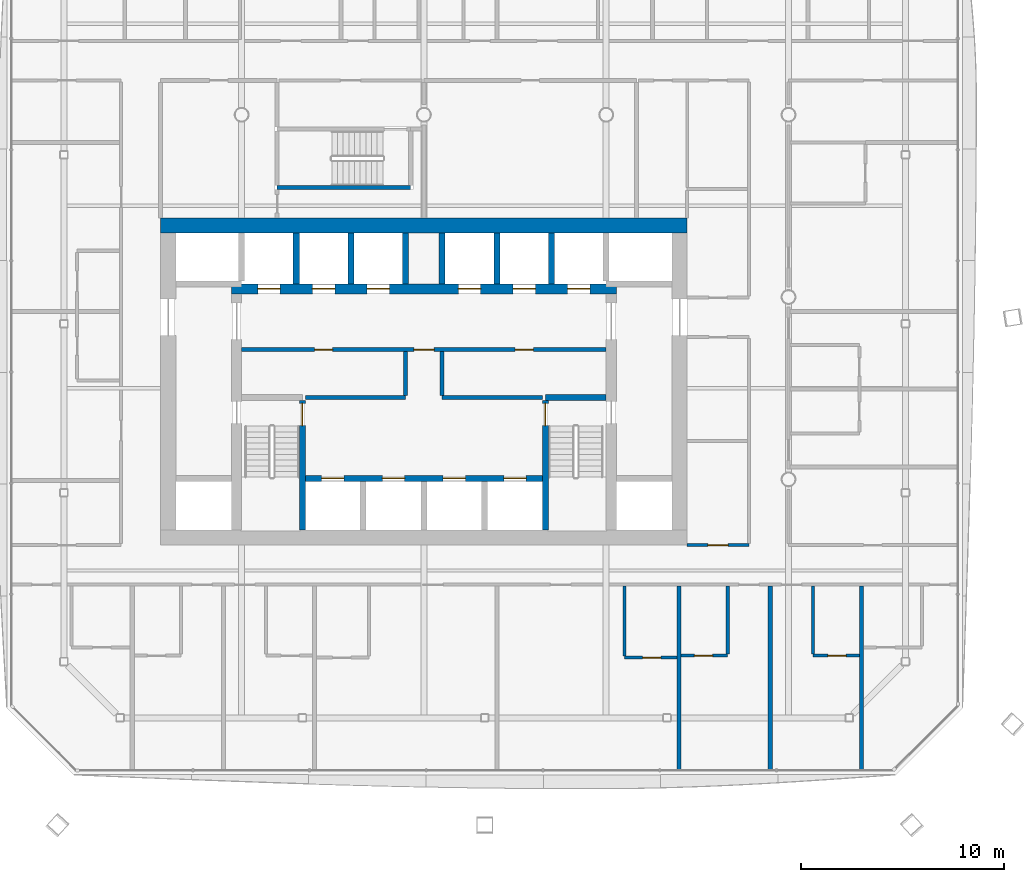
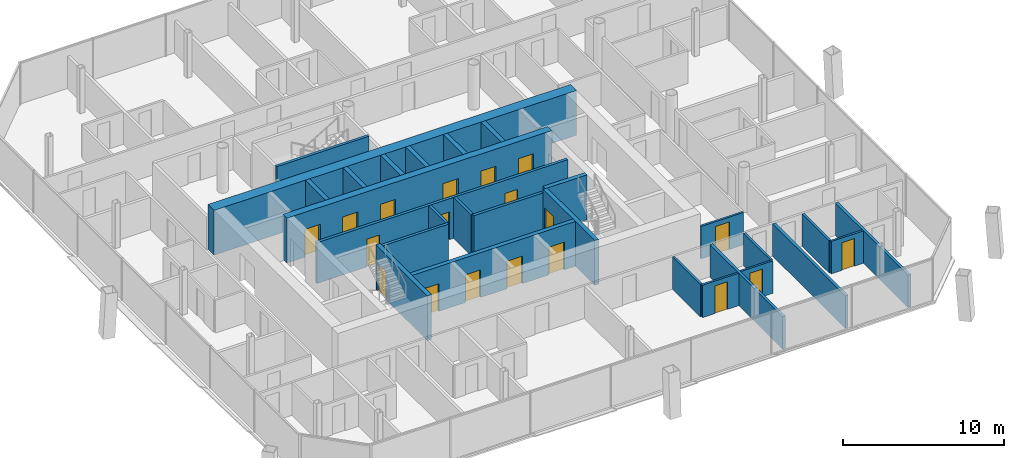
# One storey, part 13 of 21: 28 walls, 19 doors, 19 openings.
"""IFC4 building model written with IfcOpenShell, lengths in metres."""

from ifc_helpers import new_model, si_unit, direction, frame, frame_2d, origin, place, context, subcontext, project, spatial, rectangle, extrude, material, layer, layer_set, type_object, element, fill, save


model = new_model("IFC4")

# Units and contexts
model_context = context("Model", 3, precision=1e-05, world=origin(), true_north=direction((0.0, 1.0)))
body_context = subcontext(model_context, "Body", "Model", "MODEL_VIEW")
ifc_project = project(units=[si_unit("LENGTHUNIT", "METRE"), si_unit("AREAUNIT", "SQUARE_METRE"), si_unit("VOLUMEUNIT", "CUBIC_METRE"), si_unit("PLANEANGLEUNIT", "RADIAN"), si_unit("MASSUNIT", "GRAM", prefix="KILO")], contexts=[model_context])

# Site, building, storey
site_placement = place(None, origin())
site = spatial("IfcSite", under=ifc_project, at=site_placement, CompositionType="ELEMENT")
building_placement = place(site_placement, origin())
building = spatial("IfcBuilding", under=site, at=building_placement, Name="Tskaro Facet Tower", CompositionType="ELEMENT")
storey_placement = place(building_placement, frame((0.0, 0.0, 128.300048828125)))
storey = spatial("IfcBuildingStorey", under=building, at=storey_placement, Name="L30", CompositionType="ELEMENT", Elevation=128.300048828125)

# Wall, openings, doors
ifc_material_1 = material(Name="Concrete C60/75", Category="concrete")
ifc_layer_1 = layer(ifc_material_1, 0.300048828125, Name="Concrete C60/75")
ifc_layer_set_1 = layer_set([ifc_layer_1], Name="Concrete C60/75")
wall_type_1 = type_object("IfcWallType", Name="CORE-SHAFT", PredefinedType="SHEAR", material=ifc_layer_set_1)
wall_1_placement = place(storey_placement, frame((-5.85009765625, -8.949951171875, 0.0), z_axis=(0.0, 0.0, 1.0), x_axis=(1.0, 0.0, 0.0)))
wall_1 = element("IfcWall", 1, at=wall_1_placement, inside=storey, type_object=wall_type_1, Name="Shaft wall W015", PredefinedType="SHEAR", context=body_context, shape_type="SweptSolid", body=[
    extrude(rectangle(XDim=11.7001953125, YDim=0.300048828125, at=frame_2d((5.85009765625, 0.0))), origin(), (0.0, 0.0, 1.0), 3.39990234375),
])
opening_1_placement = place(wall_1_placement, frame((0.800048828125, 0.0, 0.0)))
opening_1 = element("IfcOpeningElement", 2, at=opening_1_placement, cuts=wall_1, Name="Opening LD-FF1", PredefinedType="OPENING", context=body_context, shape_type="SweptSolid", body=[
    extrude(rectangle(XDim=1.10009765625, YDim=2.10009765625, at=frame_2d((0.550048828125, 1.050048828125))), frame((0.0, 0.159912109375, 0.0), z_axis=(0.0, -1.0, 0.0), x_axis=(1.0, 0.0, 0.0)), (0.0, 0.0, 1.0), 0.320068359375),
])
opening_2_placement = place(wall_1_placement, frame((3.800048828125, 0.0, 0.0)))
opening_2 = element("IfcOpeningElement", 3, at=opening_2_placement, cuts=wall_1, Name="Opening LD-FF2", PredefinedType="OPENING", context=body_context, shape_type="SweptSolid", body=[
    extrude(rectangle(XDim=1.10009765625, YDim=2.10009765625, at=frame_2d((0.550048828125, 1.050048828125))), frame((0.0, 0.159912109375, 0.0), z_axis=(0.0, -1.0, 0.0), x_axis=(1.0, 0.0, 0.0)), (0.0, 0.0, 1.0), 0.320068359375),
])
opening_3_placement = place(wall_1_placement, frame((6.800048828125, 0.0, 0.0)))
opening_3 = element("IfcOpeningElement", 4, at=opening_3_placement, cuts=wall_1, Name="Opening LD-SV1", PredefinedType="OPENING", context=body_context, shape_type="SweptSolid", body=[
    extrude(rectangle(XDim=1.10009765625, YDim=2.10009765625, at=frame_2d((0.550048828125, 1.050048828125))), frame((0.0, 0.159912109375, 0.0), z_axis=(0.0, -1.0, 0.0), x_axis=(1.0, 0.0, 0.0)), (0.0, 0.0, 1.0), 0.320068359375),
])
opening_4_placement = place(wall_1_placement, frame((9.800048828125, 0.0, 0.0)))
opening_4 = element("IfcOpeningElement", 5, at=opening_4_placement, cuts=wall_1, Name="Opening LD-SV2", PredefinedType="OPENING", context=body_context, shape_type="SweptSolid", body=[
    extrude(rectangle(XDim=1.10009765625, YDim=2.10009765625, at=frame_2d((0.550048828125, 1.050048828125))), frame((0.0, 0.159912109375, 0.0), z_axis=(0.0, -1.0, 0.0), x_axis=(1.0, 0.0, 0.0)), (0.0, 0.0, 1.0), 0.320068359375),
])
ifc_material_2 = material(Name="Stainless steel", Category="steel")
door_type_1 = type_object("IfcDoorType", Name="D-LANDING", OperationType="NOTDEFINED", PredefinedType="DOOR", material=ifc_material_2)
door_1_placement = place(opening_1_placement, origin())
door_1 = element("IfcDoor", 6, at=door_1_placement, inside=storey, type_object=door_type_1, Name="Landing door FF1", OperationType="DOUBLE_DOOR_SLIDING", OverallHeight=2.10009765625, OverallWidth=1.10009765625, PredefinedType="DOOR", context=body_context, shape_type="SweptSolid", body=[
    extrude(rectangle(XDim=1.10009765625, YDim=2.10009765625, at=frame_2d((0.550048828125, 1.050048828125))), frame((0.0, 0.02490234375, 0.0), z_axis=(0.0, -1.0, 0.0), x_axis=(1.0, 0.0, 0.0)), (0.0, 0.0, 1.0), 0.050048828125),
])
fill(opening_1, door_1)
door_2_placement = place(opening_2_placement, origin())
door_2 = element("IfcDoor", 7, at=door_2_placement, inside=storey, type_object=door_type_1, Name="Landing door FF2", OperationType="DOUBLE_DOOR_SLIDING", OverallHeight=2.10009765625, OverallWidth=1.10009765625, PredefinedType="DOOR", context=body_context, shape_type="SweptSolid", body=[
    extrude(rectangle(XDim=1.10009765625, YDim=2.10009765625, at=frame_2d((0.550048828125, 1.050048828125))), frame((0.0, 0.02490234375, 0.0), z_axis=(0.0, -1.0, 0.0), x_axis=(1.0, 0.0, 0.0)), (0.0, 0.0, 1.0), 0.050048828125),
])
fill(opening_2, door_2)
door_3_placement = place(opening_3_placement, origin())
door_3 = element("IfcDoor", 8, at=door_3_placement, inside=storey, type_object=door_type_1, Name="Landing door SV1", OperationType="DOUBLE_DOOR_SLIDING", OverallHeight=2.10009765625, OverallWidth=1.10009765625, PredefinedType="DOOR", context=body_context, shape_type="SweptSolid", body=[
    extrude(rectangle(XDim=1.10009765625, YDim=2.10009765625, at=frame_2d((0.550048828125, 1.050048828125))), frame((0.0, 0.02490234375, 0.0), z_axis=(0.0, -1.0, 0.0), x_axis=(1.0, 0.0, 0.0)), (0.0, 0.0, 1.0), 0.050048828125),
])
fill(opening_3, door_3)
door_4_placement = place(opening_4_placement, origin())
door_4 = element("IfcDoor", 9, at=door_4_placement, inside=storey, type_object=door_type_1, Name="Landing door SV2", OperationType="DOUBLE_DOOR_SLIDING", OverallHeight=2.10009765625, OverallWidth=1.10009765625, PredefinedType="DOOR", context=body_context, shape_type="SweptSolid", body=[
    extrude(rectangle(XDim=1.10009765625, YDim=2.10009765625, at=frame_2d((0.550048828125, 1.050048828125))), frame((0.0, 0.02490234375, 0.0), z_axis=(0.0, -1.0, 0.0), x_axis=(1.0, 0.0, 0.0)), (0.0, 0.0, 1.0), 0.050048828125),
])
fill(opening_4, door_4)

# Walls
wall_2_placement = place(storey_placement, frame((6.0, -4.949951171875, 0.0), z_axis=(0.0, 0.0, 1.0), x_axis=(1.0, 0.0, 0.0)))
element("IfcWall", 10, at=wall_2_placement, inside=storey, type_object=wall_type_1, Name="Shaft wall W023", PredefinedType="SHEAR", context=body_context, shape_type="SweptSolid", body=[
    extrude(rectangle(XDim=3.0, YDim=0.300048828125, at=frame_2d((1.5, 0.0))), origin(), (0.0, 0.0, 1.0), 3.39990234375),
])
wall_3_placement = place(storey_placement, frame((-6.300048828125, 0.64990234375, 0.0), z_axis=(0.0, 0.0, 1.0), x_axis=(0.0, 1.0, 0.0)))
element("IfcWall", 11, at=wall_3_placement, inside=storey, type_object=wall_type_1, Name="Shaft wall W070", PredefinedType="SHEAR", context=body_context, shape_type="SweptSolid", body=[
    extrude(rectangle(XDim=2.5, YDim=0.300048828125, at=frame_2d((1.25, 0.0))), origin(), (0.0, 0.0, 1.0), 3.39990234375),
])

# Wall, opening, door
wall_4_placement = place(storey_placement, frame((-6.0, -11.5, 0.0), z_axis=(0.0, 0.0, 1.0), x_axis=(0.0, 1.0, 0.0)))
wall_4 = element("IfcWall", 12, at=wall_4_placement, inside=storey, type_object=wall_type_1, Name="Shaft wall W071", PredefinedType="SHEAR", context=body_context, shape_type="SweptSolid", body=[
    extrude(rectangle(XDim=6.39990234375, YDim=0.300048828125, at=frame_2d((3.199951171875, 0.0))), origin(), (0.0, 0.0, 1.0), 3.39990234375),
])
opening_5_placement = place(wall_4_placement, frame((5.14990234375, 0.0, 0.0)))
opening_5 = element("IfcOpeningElement", 13, at=opening_5_placement, cuts=wall_4, Name="Opening ST-1-D1", PredefinedType="OPENING", context=body_context, shape_type="SweptSolid", body=[
    extrude(rectangle(XDim=1.10009765625, YDim=2.10009765625, at=frame_2d((0.550048828125, 1.050048828125))), frame((0.0, 0.159912109375, 0.0), z_axis=(0.0, -1.0, 0.0), x_axis=(1.0, 0.0, 0.0)), (0.0, 0.0, 1.0), 0.320068359375),
])
ifc_material_3 = material(Name="Steel", Category="steel")
door_type_2 = type_object("IfcDoorType", Name="D-STAIR", OperationType="NOTDEFINED", PredefinedType="DOOR", material=ifc_material_3)
door_5_placement = place(opening_5_placement, origin())
door_5 = element("IfcDoor", 14, at=door_5_placement, inside=storey, type_object=door_type_2, Name="Stair door 1", OperationType="SINGLE_SWING_LEFT", OverallHeight=2.10009765625, OverallWidth=1.10009765625, PredefinedType="DOOR", context=body_context, shape_type="SweptSolid", body=[
    extrude(rectangle(XDim=1.10009765625, YDim=2.10009765625, at=frame_2d((0.550048828125, 1.050048828125))), frame((0.0, 0.02490234375, 0.0), z_axis=(0.0, -1.0, 0.0), x_axis=(1.0, 0.0, 0.0)), (0.0, 0.0, 1.0), 0.050048828125),
])
fill(opening_5, door_5)

# Walls
for number, where, z_axis, x_axis, name in (
    (15, (-3.60009765625, 0.64990234375, 0.0), (0.0, 0.0, 1.0), (0.0, 1.0, 0.0), "Shaft wall W074"),
    (16, (-0.89990234375, 0.64990234375, 0.0), (0.0, 0.0, 1.0), (0.0, 1.0, 0.0), "Shaft wall W079"),
    (17, (0.89990234375, 0.64990234375, 0.0), (0.0, 0.0, 1.0), (0.0, 1.0, 0.0), "Shaft wall W086"),
    (18, (3.60009765625, 0.64990234375, 0.0), (0.0, 0.0, 1.0), (0.0, 1.0, 0.0), "Shaft wall W090"),
):
    element("IfcWall", number, at=place(storey_placement, frame(where, z_axis=z_axis, x_axis=x_axis)), inside=storey, type_object=wall_type_1, Name=name, PredefinedType="SHEAR", context=body_context, shape_type="SweptSolid", body=[
        extrude(rectangle(XDim=2.5, YDim=0.300048828125, at=frame_2d((1.25, 0.0))), origin(), (0.0, 0.0, 1.0), 3.39990234375),
    ])

# Wall, opening, door
wall_5_placement = place(storey_placement, frame((6.0, -5.10009765625, 0.0), z_axis=(0.0, 0.0, 1.0), x_axis=(0.0, -1.0, 0.0)))
wall_5 = element("IfcWall", 19, at=wall_5_placement, inside=storey, type_object=wall_type_1, Name="Shaft wall W092", PredefinedType="SHEAR", context=body_context, shape_type="SweptSolid", body=[
    extrude(rectangle(XDim=6.39990234375, YDim=0.300048828125, at=frame_2d((3.199951171875, 0.0))), origin(), (0.0, 0.0, 1.0), 3.39990234375),
])
opening_6_placement = place(wall_5_placement, frame((0.14990234375, 0.0, 0.0)))
opening_6 = element("IfcOpeningElement", 20, at=opening_6_placement, cuts=wall_5, Name="Opening ST-2-D1", PredefinedType="OPENING", context=body_context, shape_type="SweptSolid", body=[
    extrude(rectangle(XDim=1.10009765625, YDim=2.10009765625, at=frame_2d((0.550048828125, 1.050048828125))), frame((0.0, 0.159912109375, 0.0), z_axis=(0.0, -1.0, 0.0), x_axis=(1.0, 0.0, 0.0)), (0.0, 0.0, 1.0), 0.320068359375),
])
door_6_placement = place(opening_6_placement, origin())
door_6 = element("IfcDoor", 21, at=door_6_placement, inside=storey, type_object=door_type_2, Name="Stair door 2", OperationType="SINGLE_SWING_RIGHT", OverallHeight=2.10009765625, OverallWidth=1.10009765625, PredefinedType="DOOR", context=body_context, shape_type="SweptSolid", body=[
    extrude(rectangle(XDim=1.10009765625, YDim=2.10009765625, at=frame_2d((0.550048828125, 1.050048828125))), frame((0.0, 0.02490234375, 0.0), z_axis=(0.0, -1.0, 0.0), x_axis=(1.0, 0.0, 0.0)), (0.0, 0.0, 1.0), 0.050048828125),
])
fill(opening_6, door_6)

# Walls
wall_6_placement = place(storey_placement, frame((6.300048828125, 0.64990234375, 0.0), z_axis=(0.0, 0.0, 1.0), x_axis=(0.0, 1.0, 0.0)))
element("IfcWall", 22, at=wall_6_placement, inside=storey, type_object=wall_type_1, Name="Shaft wall W093", PredefinedType="SHEAR", context=body_context, shape_type="SweptSolid", body=[
    extrude(rectangle(XDim=2.5, YDim=0.300048828125, at=frame_2d((1.25, 0.0))), origin(), (0.0, 0.0, 1.0), 3.39990234375),
])
ifc_material_4 = material(Name="Concrete C20/25", Category="concrete")
ifc_layer_2 = layer(ifc_material_4, 0.199951171875, Name="Concrete C20/25")
ifc_layer_set_2 = layer_set([ifc_layer_2], Name="Concrete C20/25")
wall_type_2 = type_object("IfcWallType", Name="CORE-WALL", PredefinedType="SOLIDWALL", material=ifc_layer_set_2)
for number, where, z_axis, x_axis, name in (
    (23, (-5.85009765625, -4.949951171875, 0.0), (0.0, 0.0, 1.0), (1.0, 0.0, 0.0), "Core room wall W021"),
    (24, (0.89990234375, -4.949951171875, 0.0), (0.0, 0.0, 1.0), (1.0, 0.0, 0.0), "Core room wall W022"),
):
    element("IfcWall", number, at=place(storey_placement, frame(where, z_axis=z_axis, x_axis=x_axis)), inside=storey, type_object=wall_type_2, Name=name, PredefinedType="SOLIDWALL", context=body_context, shape_type="SweptSolid", body=[
        extrude(rectangle(XDim=4.9501953125, YDim=0.199951171875, at=frame_2d((2.47509765625, 0.0))), origin(), (0.0, 0.0, 1.0), 3.099853515625),
    ])

# Wall, openings, doors
wall_7_placement = place(storey_placement, frame((9.0, -2.60009765625, 0.0), z_axis=(0.0, 0.0, 1.0), x_axis=(-1.0, 0.0, 0.0)))
wall_7 = element("IfcWall", 25, at=wall_7_placement, inside=storey, type_object=wall_type_2, Name="Core room wall W026", PredefinedType="SOLIDWALL", context=body_context, shape_type="SweptSolid", body=[
    extrude(rectangle(XDim=18.0, YDim=0.199951171875, at=frame_2d((9.0, 0.0))), origin(), (0.0, 0.0, 1.0), 3.099853515625),
])
opening_7_placement = place(wall_7_placement, frame((8.5, 0.0, 0.0)))
opening_7 = element("IfcOpeningElement", 26, at=opening_7_placement, cuts=wall_7, Name="Opening FL-D1", PredefinedType="OPENING", context=body_context, shape_type="SweptSolid", body=[
    extrude(rectangle(XDim=1.0, YDim=2.10009765625, at=frame_2d((0.5, 1.050048828125))), frame((0.0, 0.10986328125, 0.0), z_axis=(0.0, -1.0, 0.0), x_axis=(1.0, 0.0, 0.0)), (0.0, 0.0, 1.0), 0.219970703125),
])
opening_8_placement = place(wall_7_placement, frame((13.5, 0.0, 0.0)))
opening_8 = element("IfcOpeningElement", 27, at=opening_8_placement, cuts=wall_7, Name="Opening T8-D26", PredefinedType="OPENING", context=body_context, shape_type="SweptSolid", body=[
    extrude(rectangle(XDim=0.89990234375, YDim=2.10009765625, at=frame_2d((0.449951171875, 1.050048828125))), frame((0.0, 0.10986328125, 0.0), z_axis=(0.0, -1.0, 0.0), x_axis=(1.0, 0.0, 0.0)), (0.0, 0.0, 1.0), 0.219970703125),
])
opening_9_placement = place(wall_7_placement, frame((3.60009765625, 0.0, 0.0)))
opening_9 = element("IfcOpeningElement", 28, at=opening_9_placement, cuts=wall_7, Name="Opening T8-D27", PredefinedType="OPENING", context=body_context, shape_type="SweptSolid", body=[
    extrude(rectangle(XDim=0.89990234375, YDim=2.10009765625, at=frame_2d((0.449951171875, 1.050048828125))), frame((0.0, 0.10986328125, 0.0), z_axis=(0.0, -1.0, 0.0), x_axis=(1.0, 0.0, 0.0)), (0.0, 0.0, 1.0), 0.219970703125),
])
door_type_3 = type_object("IfcDoorType", Name="D-LOBBY", OperationType="NOTDEFINED", PredefinedType="DOOR", material=ifc_material_3)
door_7_placement = place(opening_7_placement, origin())
door_7 = element("IfcDoor", 29, at=door_7_placement, inside=storey, type_object=door_type_3, Name="Lobby door FL", OperationType="SINGLE_SWING_RIGHT", OverallHeight=2.10009765625, OverallWidth=1.0, PredefinedType="DOOR", context=body_context, shape_type="SweptSolid", body=[
    extrude(rectangle(XDim=1.0, YDim=2.10009765625, at=frame_2d((0.5, 1.050048828125))), frame((0.0, 0.02490234375, 0.0), z_axis=(0.0, -1.0, 0.0), x_axis=(1.0, 0.0, 0.0)), (0.0, 0.0, 1.0), 0.050048828125),
])
fill(opening_7, door_7)
ifc_material_5 = material(Name="Timber", Category="wood")
door_type_4 = type_object("IfcDoorType", Name="D-ROOM", OperationType="NOTDEFINED", PredefinedType="DOOR", material=ifc_material_5)
door_8_placement = place(opening_8_placement, origin())
door_8 = element("IfcDoor", 30, at=door_8_placement, inside=storey, type_object=door_type_4, Name="Door T8-D26", OperationType="SINGLE_SWING_RIGHT", OverallHeight=2.10009765625, OverallWidth=0.89990234375, PredefinedType="DOOR", context=body_context, shape_type="SweptSolid", body=[
    extrude(rectangle(XDim=0.89990234375, YDim=2.10009765625, at=frame_2d((0.449951171875, 1.050048828125))), frame((0.0, 0.02490234375, 0.0), z_axis=(0.0, -1.0, 0.0), x_axis=(1.0, 0.0, 0.0)), (0.0, 0.0, 1.0), 0.050048828125),
])
fill(opening_8, door_8)
door_9_placement = place(opening_9_placement, origin())
door_9 = element("IfcDoor", 31, at=door_9_placement, inside=storey, type_object=door_type_4, Name="Door T8-D27", OperationType="SINGLE_SWING_RIGHT", OverallHeight=2.10009765625, OverallWidth=0.89990234375, PredefinedType="DOOR", context=body_context, shape_type="SweptSolid", body=[
    extrude(rectangle(XDim=0.89990234375, YDim=2.10009765625, at=frame_2d((0.449951171875, 1.050048828125))), frame((0.0, 0.02490234375, 0.0), z_axis=(0.0, -1.0, 0.0), x_axis=(1.0, 0.0, 0.0)), (0.0, 0.0, 1.0), 0.050048828125),
])
fill(opening_9, door_9)

# Walls
for number, where, z_axis, x_axis, name in (
    (32, (-0.89990234375, -4.85009765625, 0.0), (0.0, 0.0, 1.0), (0.0, 1.0, 0.0), "Core room wall W078"),
    (33, (0.89990234375, -4.85009765625, 0.0), (0.0, 0.0, 1.0), (0.0, 1.0, 0.0), "Core room wall W085"),
):
    element("IfcWall", number, at=place(storey_placement, frame(where, z_axis=z_axis, x_axis=x_axis)), inside=storey, type_object=wall_type_2, Name=name, PredefinedType="SOLIDWALL", context=body_context, shape_type="SweptSolid", body=[
        extrude(rectangle(XDim=2.150146484375, YDim=0.199951171875, at=frame_2d((1.0751953125, 0.0))), origin(), (0.0, 0.0, 1.0), 3.099853515625),
    ])

# Wall, openings, doors
ifc_material_6 = material(Name="Concrete C40/50", Category="concrete")
ifc_layer_3 = layer(ifc_material_6, 0.5, Name="Concrete C40/50")
ifc_layer_set_3 = layer_set([ifc_layer_3], Name="Concrete C40/50")
wall_type_3 = type_object("IfcWallType", Name="Core wall 500", PredefinedType="SHEAR", material=ifc_layer_set_3)
wall_8_placement = place(storey_placement, frame((-9.5, 0.39990234375, 0.0), z_axis=(0.0, 0.0, 1.0), x_axis=(1.0, 0.0, 0.0)))
wall_8 = element("IfcWall", 34, at=wall_8_placement, inside=storey, type_object=wall_type_3, Name="Core wall CW-Z3N", PredefinedType="SHEAR", context=body_context, shape_type="SweptSolid", body=[
    extrude(rectangle(XDim=19.0, YDim=0.5, at=frame_2d((9.5, 0.0))), origin(), (0.0, 0.0, 1.0), 3.39990234375),
])
opening_10_placement = place(wall_8_placement, frame((1.300048828125, 0.0, 0.0)))
opening_10 = element("IfcOpeningElement", 35, at=opening_10_placement, cuts=wall_8, Name="Opening LD-MB1", PredefinedType="OPENING", context=body_context, shape_type="SweptSolid", body=[
    extrude(rectangle(XDim=1.10009765625, YDim=2.10009765625, at=frame_2d((0.550048828125, 1.050048828125))), frame((0.0, 0.260009765625, 0.0), z_axis=(0.0, -1.0, 0.0), x_axis=(1.0, 0.0, 0.0)), (0.0, 0.0, 1.0), 0.52001953125),
])
opening_11_placement = place(wall_8_placement, frame((4.0, 0.0, 0.0)))
opening_11 = element("IfcOpeningElement", 36, at=opening_11_placement, cuts=wall_8, Name="Opening LD-MB2", PredefinedType="OPENING", context=body_context, shape_type="SweptSolid", body=[
    extrude(rectangle(XDim=1.10009765625, YDim=2.10009765625, at=frame_2d((0.550048828125, 1.050048828125))), frame((0.0, 0.260009765625, 0.0), z_axis=(0.0, -1.0, 0.0), x_axis=(1.0, 0.0, 0.0)), (0.0, 0.0, 1.0), 0.52001953125),
])
opening_12_placement = place(wall_8_placement, frame((6.699951171875, 0.0, 0.0)))
opening_12 = element("IfcOpeningElement", 37, at=opening_12_placement, cuts=wall_8, Name="Opening LD-MB3", PredefinedType="OPENING", context=body_context, shape_type="SweptSolid", body=[
    extrude(rectangle(XDim=1.10009765625, YDim=2.10009765625, at=frame_2d((0.550048828125, 1.050048828125))), frame((0.0, 0.260009765625, 0.0), z_axis=(0.0, -1.0, 0.0), x_axis=(1.0, 0.0, 0.0)), (0.0, 0.0, 1.0), 0.52001953125),
])
opening_13_placement = place(wall_8_placement, frame((11.199951171875, 0.0, 0.0)))
opening_13 = element("IfcOpeningElement", 38, at=opening_13_placement, cuts=wall_8, Name="Opening LD-MB4", PredefinedType="OPENING", context=body_context, shape_type="SweptSolid", body=[
    extrude(rectangle(XDim=1.10009765625, YDim=2.10009765625, at=frame_2d((0.550048828125, 1.050048828125))), frame((0.0, 0.260009765625, 0.0), z_axis=(0.0, -1.0, 0.0), x_axis=(1.0, 0.0, 0.0)), (0.0, 0.0, 1.0), 0.52001953125),
])
opening_14_placement = place(wall_8_placement, frame((13.89990234375, 0.0, 0.0)))
opening_14 = element("IfcOpeningElement", 39, at=opening_14_placement, cuts=wall_8, Name="Opening LD-MB5", PredefinedType="OPENING", context=body_context, shape_type="SweptSolid", body=[
    extrude(rectangle(XDim=1.10009765625, YDim=2.10009765625, at=frame_2d((0.550048828125, 1.050048828125))), frame((0.0, 0.260009765625, 0.0), z_axis=(0.0, -1.0, 0.0), x_axis=(1.0, 0.0, 0.0)), (0.0, 0.0, 1.0), 0.52001953125),
])
opening_15_placement = place(wall_8_placement, frame((16.60009765625, 0.0, 0.0)))
opening_15 = element("IfcOpeningElement", 40, at=opening_15_placement, cuts=wall_8, Name="Opening LD-MB6", PredefinedType="OPENING", context=body_context, shape_type="SweptSolid", body=[
    extrude(rectangle(XDim=1.10009765625, YDim=2.10009765625, at=frame_2d((0.550048828125, 1.050048828125))), frame((0.0, 0.260009765625, 0.0), z_axis=(0.0, -1.0, 0.0), x_axis=(1.0, 0.0, 0.0)), (0.0, 0.0, 1.0), 0.52001953125),
])
door_10_placement = place(opening_10_placement, origin())
door_10 = element("IfcDoor", 41, at=door_10_placement, inside=storey, type_object=door_type_1, Name="Landing door MB1", OperationType="DOUBLE_DOOR_SLIDING", OverallHeight=2.10009765625, OverallWidth=1.10009765625, PredefinedType="DOOR", context=body_context, shape_type="SweptSolid", body=[
    extrude(rectangle(XDim=1.10009765625, YDim=2.10009765625, at=frame_2d((0.550048828125, 1.050048828125))), frame((0.0, 0.02490234375, 0.0), z_axis=(0.0, -1.0, 0.0), x_axis=(1.0, 0.0, 0.0)), (0.0, 0.0, 1.0), 0.050048828125),
])
fill(opening_10, door_10)
door_11_placement = place(opening_11_placement, origin())
door_11 = element("IfcDoor", 42, at=door_11_placement, inside=storey, type_object=door_type_1, Name="Landing door MB2", OperationType="DOUBLE_DOOR_SLIDING", OverallHeight=2.10009765625, OverallWidth=1.10009765625, PredefinedType="DOOR", context=body_context, shape_type="SweptSolid", body=[
    extrude(rectangle(XDim=1.10009765625, YDim=2.10009765625, at=frame_2d((0.550048828125, 1.050048828125))), frame((0.0, 0.02490234375, 0.0), z_axis=(0.0, -1.0, 0.0), x_axis=(1.0, 0.0, 0.0)), (0.0, 0.0, 1.0), 0.050048828125),
])
fill(opening_11, door_11)
door_12_placement = place(opening_12_placement, origin())
door_12 = element("IfcDoor", 43, at=door_12_placement, inside=storey, type_object=door_type_1, Name="Landing door MB3", OperationType="DOUBLE_DOOR_SLIDING", OverallHeight=2.10009765625, OverallWidth=1.10009765625, PredefinedType="DOOR", context=body_context, shape_type="SweptSolid", body=[
    extrude(rectangle(XDim=1.10009765625, YDim=2.10009765625, at=frame_2d((0.550048828125, 1.050048828125))), frame((0.0, 0.02490234375, 0.0), z_axis=(0.0, -1.0, 0.0), x_axis=(1.0, 0.0, 0.0)), (0.0, 0.0, 1.0), 0.050048828125),
])
fill(opening_12, door_12)
door_13_placement = place(opening_13_placement, origin())
door_13 = element("IfcDoor", 44, at=door_13_placement, inside=storey, type_object=door_type_1, Name="Landing door MB4", OperationType="DOUBLE_DOOR_SLIDING", OverallHeight=2.10009765625, OverallWidth=1.10009765625, PredefinedType="DOOR", context=body_context, shape_type="SweptSolid", body=[
    extrude(rectangle(XDim=1.10009765625, YDim=2.10009765625, at=frame_2d((0.550048828125, 1.050048828125))), frame((0.0, 0.02490234375, 0.0), z_axis=(0.0, -1.0, 0.0), x_axis=(1.0, 0.0, 0.0)), (0.0, 0.0, 1.0), 0.050048828125),
])
fill(opening_13, door_13)
door_14_placement = place(opening_14_placement, origin())
door_14 = element("IfcDoor", 45, at=door_14_placement, inside=storey, type_object=door_type_1, Name="Landing door MB5", OperationType="DOUBLE_DOOR_SLIDING", OverallHeight=2.10009765625, OverallWidth=1.10009765625, PredefinedType="DOOR", context=body_context, shape_type="SweptSolid", body=[
    extrude(rectangle(XDim=1.10009765625, YDim=2.10009765625, at=frame_2d((0.550048828125, 1.050048828125))), frame((0.0, 0.02490234375, 0.0), z_axis=(0.0, -1.0, 0.0), x_axis=(1.0, 0.0, 0.0)), (0.0, 0.0, 1.0), 0.050048828125),
])
fill(opening_14, door_14)
door_15_placement = place(opening_15_placement, origin())
door_15 = element("IfcDoor", 46, at=door_15_placement, inside=storey, type_object=door_type_1, Name="Landing door MB6", OperationType="DOUBLE_DOOR_SLIDING", OverallHeight=2.10009765625, OverallWidth=1.10009765625, PredefinedType="DOOR", context=body_context, shape_type="SweptSolid", body=[
    extrude(rectangle(XDim=1.10009765625, YDim=2.10009765625, at=frame_2d((0.550048828125, 1.050048828125))), frame((0.0, 0.02490234375, 0.0), z_axis=(0.0, -1.0, 0.0), x_axis=(1.0, 0.0, 0.0)), (0.0, 0.0, 1.0), 0.050048828125),
])
fill(opening_15, door_15)

# Wall
ifc_material_7 = material(Name="Concrete C50/60", Category="concrete")
ifc_layer_4 = layer(ifc_material_7, 0.75, Name="Concrete C50/60")
ifc_layer_set_4 = layer_set([ifc_layer_4], Name="Concrete C50/60")
wall_type_4 = type_object("IfcWallType", Name="Core wall 750", PredefinedType="SHEAR", material=ifc_layer_set_4)
wall_9_placement = place(storey_placement, frame((-13.0, 3.52490234375, 0.0), z_axis=(0.0, 0.0, 1.0), x_axis=(1.0, 0.0, 0.0)))
element("IfcWall", 47, at=wall_9_placement, inside=storey, type_object=wall_type_4, Name="Core wall CW-Z2N", PredefinedType="SHEAR", context=body_context, shape_type="SweptSolid", body=[
    extrude(rectangle(XDim=26.0, YDim=0.75, at=frame_2d((13.0, 0.0))), origin(), (0.0, 0.0, 1.0), 3.39990234375),
])

# Wall, opening, door
ifc_material_8 = material(Name="Gypsum board on steel studs", Category="steel")
ifc_layer_5 = layer(ifc_material_8, 0.14990234375, Name="Gypsum board on steel studs")
ifc_layer_set_5 = layer_set([ifc_layer_5], Name="Gypsum board on steel studs")
wall_type_5 = type_object("IfcWallType", Name="PART-CORR", PredefinedType="PARTITIONING", material=ifc_layer_set_5)
wall_10_placement = place(storey_placement, frame((9.89990234375, -17.800048828125, 0.0), z_axis=(0.0, 0.0, 1.0), x_axis=(1.0, 0.0, 0.0)))
wall_10 = element("IfcWall", 48, at=wall_10_placement, inside=storey, type_object=wall_type_5, Name="Corridor wall W002", PredefinedType="PARTITIONING", context=body_context, shape_type="SweptSolid", body=[
    extrude(rectangle(XDim=2.60009765625, YDim=0.14990234375, at=frame_2d((1.300048828125, 0.0))), origin(), (0.0, 0.0, 1.0), 2.4599609375),
])
opening_16_placement = place(wall_10_placement, frame((0.89990234375, 0.0, 0.0)))
opening_16 = element("IfcOpeningElement", 49, at=opening_16_placement, cuts=wall_10, Name="Opening T8-D02", PredefinedType="OPENING", context=body_context, shape_type="SweptSolid", body=[
    extrude(rectangle(XDim=0.89990234375, YDim=2.10009765625, at=frame_2d((0.449951171875, 1.050048828125))), frame((0.0, 0.0849609375, 0.0), z_axis=(0.0, -1.0, 0.0), x_axis=(1.0, 0.0, 0.0)), (0.0, 0.0, 1.0), 0.169921875),
])
door_16_placement = place(opening_16_placement, origin())
door_16 = element("IfcDoor", 50, at=door_16_placement, inside=storey, type_object=door_type_4, Name="Door T8-D02", OperationType="SINGLE_SWING_LEFT", OverallHeight=2.10009765625, OverallWidth=0.89990234375, PredefinedType="DOOR", context=body_context, shape_type="SweptSolid", body=[
    extrude(rectangle(XDim=0.89990234375, YDim=2.10009765625, at=frame_2d((0.449951171875, 1.050048828125))), frame((0.0, 0.02490234375, 0.0), z_axis=(0.0, -1.0, 0.0), x_axis=(1.0, 0.0, 0.0)), (0.0, 0.0, 1.0), 0.050048828125),
])
fill(opening_16, door_16)

wall_11_placement = place(storey_placement, frame((12.699951171875, -17.699951171875, 0.0), z_axis=(0.0, 0.0, 1.0), x_axis=(1.0, 0.0, 0.0)))
wall_11 = element("IfcWall", 51, at=wall_11_placement, inside=storey, type_object=wall_type_5, Name="Corridor wall W005", PredefinedType="PARTITIONING", context=body_context, shape_type="SweptSolid", body=[
    extrude(rectangle(XDim=2.300048828125, YDim=0.14990234375, at=frame_2d((1.14990234375, 0.0))), origin(), (0.0, 0.0, 1.0), 2.4599609375),
])
opening_17_placement = place(wall_11_placement, frame((0.64990234375, 0.0, 0.0)))
opening_17 = element("IfcOpeningElement", 52, at=opening_17_placement, cuts=wall_11, Name="Opening T8-D05", PredefinedType="OPENING", context=body_context, shape_type="SweptSolid", body=[
    extrude(rectangle(XDim=0.89990234375, YDim=2.10009765625, at=frame_2d((0.449951171875, 1.050048828125))), frame((0.0, 0.0849609375, 0.0), z_axis=(0.0, -1.0, 0.0), x_axis=(1.0, 0.0, 0.0)), (0.0, 0.0, 1.0), 0.169921875),
])
door_17_placement = place(opening_17_placement, origin())
door_17 = element("IfcDoor", 53, at=door_17_placement, inside=storey, type_object=door_type_4, Name="Door T8-D05", OperationType="SINGLE_SWING_LEFT", OverallHeight=2.10009765625, OverallWidth=0.89990234375, PredefinedType="DOOR", context=body_context, shape_type="SweptSolid", body=[
    extrude(rectangle(XDim=0.89990234375, YDim=2.10009765625, at=frame_2d((0.449951171875, 1.050048828125))), frame((0.0, 0.02490234375, 0.0), z_axis=(0.0, -1.0, 0.0), x_axis=(1.0, 0.0, 0.0)), (0.0, 0.0, 1.0), 0.050048828125),
])
fill(opening_17, door_17)

wall_12_placement = place(storey_placement, frame((19.198974609375, -17.699951171875, 0.0), z_axis=(0.0, 0.0, 1.0), x_axis=(1.0, 0.0, 0.0)))
wall_12 = element("IfcWall", 54, at=wall_12_placement, inside=storey, type_object=wall_type_5, Name="Corridor wall W006", PredefinedType="PARTITIONING", context=body_context, shape_type="SweptSolid", body=[
    extrude(rectangle(XDim=2.300048828125, YDim=0.14990234375, at=frame_2d((1.14990234375, 0.0))), origin(), (0.0, 0.0, 1.0), 2.4599609375),
])
opening_18_placement = place(wall_12_placement, frame((0.75, 0.0, 0.0)))
opening_18 = element("IfcOpeningElement", 55, at=opening_18_placement, cuts=wall_12, Name="Opening T8-D06", PredefinedType="OPENING", context=body_context, shape_type="SweptSolid", body=[
    extrude(rectangle(XDim=0.89990234375, YDim=2.10009765625, at=frame_2d((0.449951171875, 1.050048828125))), frame((0.0, 0.0849609375, 0.0), z_axis=(0.0, -1.0, 0.0), x_axis=(1.0, 0.0, 0.0)), (0.0, 0.0, 1.0), 0.169921875),
])
door_18_placement = place(opening_18_placement, origin())
door_18 = element("IfcDoor", 56, at=door_18_placement, inside=storey, type_object=door_type_4, Name="Door T8-D06", OperationType="SINGLE_SWING_LEFT", OverallHeight=2.10009765625, OverallWidth=0.89990234375, PredefinedType="DOOR", context=body_context, shape_type="SweptSolid", body=[
    extrude(rectangle(XDim=0.89990234375, YDim=2.10009765625, at=frame_2d((0.449951171875, 1.050048828125))), frame((0.0, 0.02490234375, 0.0), z_axis=(0.0, -1.0, 0.0), x_axis=(1.0, 0.0, 0.0)), (0.0, 0.0, 1.0), 0.050048828125),
])
fill(opening_18, door_18)

wall_13_placement = place(storey_placement, frame((13.0, -12.25, 0.0), z_axis=(0.0, 0.0, 1.0), x_axis=(1.0, 0.0, 0.0)))
wall_13 = element("IfcWall", 57, at=wall_13_placement, inside=storey, type_object=wall_type_5, Name="Corridor wall W011", PredefinedType="PARTITIONING", context=body_context, shape_type="SweptSolid", body=[
    extrude(rectangle(XDim=3.050048828125, YDim=0.14990234375, at=frame_2d((1.52490234375, 0.0))), origin(), (0.0, 0.0, 1.0), 2.4599609375),
])
opening_19_placement = place(wall_13_placement, frame((1.02490234375, 0.0, 0.0)))
opening_19 = element("IfcOpeningElement", 58, at=opening_19_placement, cuts=wall_13, Name="Opening T8-D18", PredefinedType="OPENING", context=body_context, shape_type="SweptSolid", body=[
    extrude(rectangle(XDim=1.0, YDim=2.10009765625, at=frame_2d((0.5, 1.050048828125))), frame((0.0, 0.0849609375, 0.0), z_axis=(0.0, -1.0, 0.0), x_axis=(1.0, 0.0, 0.0)), (0.0, 0.0, 1.0), 0.169921875),
])
door_type_5 = type_object("IfcDoorType", Name="D-ROOM-WIDE", OperationType="NOTDEFINED", PredefinedType="DOOR", material=ifc_material_5)
door_19_placement = place(opening_19_placement, origin())
door_19 = element("IfcDoor", 59, at=door_19_placement, inside=storey, type_object=door_type_5, Name="Door T8-D18", OperationType="SINGLE_SWING_LEFT", OverallHeight=2.10009765625, OverallWidth=1.0, PredefinedType="DOOR", context=body_context, shape_type="SweptSolid", body=[
    extrude(rectangle(XDim=1.0, YDim=2.10009765625, at=frame_2d((0.5, 1.050048828125))), frame((0.0, 0.02490234375, 0.0), z_axis=(0.0, -1.0, 0.0), x_axis=(1.0, 0.0, 0.0)), (0.0, 0.0, 1.0), 0.050048828125),
])
fill(opening_19, door_19)

# Walls
wall_14_placement = place(storey_placement, frame((9.89990234375, -17.72509765625, 0.0), z_axis=(0.0, 0.0, 1.0), x_axis=(0.0, 1.0, 0.0)))
element("IfcWall", 60, at=wall_14_placement, inside=storey, type_object=wall_type_5, Name="Corridor wall W096", PredefinedType="PARTITIONING", context=body_context, shape_type="SweptSolid", body=[
    extrude(rectangle(XDim=3.4501953125, YDim=0.14990234375, at=frame_2d((1.72509765625, 0.0))), origin(), (0.0, 0.0, 1.0), 2.4599609375),
])
for number, where, z_axis, x_axis, name in (
    (61, (15.0, -17.625, 0.0), (0.0, 0.0, 1.0), (0.0, 1.0, 0.0), "Corridor wall W103"),
    (62, (19.198974609375, -17.625, 0.0), (0.0, 0.0, 1.0), (0.0, 1.0, 0.0), "Corridor wall W112"),
):
    element("IfcWall", number, at=place(storey_placement, frame(where, z_axis=z_axis, x_axis=x_axis)), inside=storey, type_object=wall_type_5, Name=name, PredefinedType="PARTITIONING", context=body_context, shape_type="SweptSolid", body=[
        extrude(rectangle(XDim=3.35009765625, YDim=0.14990234375, at=frame_2d((1.675048828125, 0.0))), origin(), (0.0, 0.0, 1.0), 2.4599609375),
    ])
ifc_layer_6 = layer(ifc_material_8, 0.199951171875, Name="Gypsum board on steel studs")
ifc_layer_set_6 = layer_set([ifc_layer_6], Name="Gypsum board on steel studs")
wall_type_6 = type_object("IfcWallType", Name="PART-DEMISING", PredefinedType="PARTITIONING", material=ifc_layer_set_6)
for number, where, z_axis, x_axis, name in (
    (63, (12.60009765625, -23.31689453125, 0.0), (0.0, 0.0, 1.0), (0.0, 1.0, 0.0), "Guest room wall W099"),
    (64, (17.09912109375, -23.31689453125, 0.0), (0.0, 0.0, 1.0), (0.0, 1.0, 0.0), "Guest room wall W106"),
    (65, (21.59912109375, -23.31689453125, 0.0), (0.0, 0.0, 1.0), (0.0, 1.0, 0.0), "Guest room wall W114"),
):
    element("IfcWall", number, at=place(storey_placement, frame(where, z_axis=z_axis, x_axis=x_axis)), inside=storey, type_object=wall_type_6, Name=name, PredefinedType="PARTITIONING", context=body_context, shape_type="SweptSolid", body=[
        extrude(rectangle(XDim=9.0419921875, YDim=0.199951171875, at=frame_2d((4.52099609375, 0.0))), origin(), (0.0, 0.0, 1.0), 2.4599609375),
    ])
ifc_layer_7 = layer(ifc_material_1, 0.199951171875, Name="Concrete C60/75")
ifc_layer_set_7 = layer_set([ifc_layer_7], Name="Concrete C60/75")
wall_type_7 = type_object("IfcWallType", Name="STAIR-WALL", PredefinedType="SHEAR", material=ifc_layer_set_7)
wall_15_placement = place(storey_placement, frame((-7.25, 5.39990234375, 0.0), z_axis=(0.0, 0.0, 1.0), x_axis=(1.0, 0.0, 0.0)))
element("IfcWall", 66, at=wall_15_placement, inside=storey, type_object=wall_type_7, Name="Stair wall W037", PredefinedType="SHEAR", context=body_context, shape_type="SweptSolid", body=[
    extrude(rectangle(XDim=6.60009765625, YDim=0.199951171875, at=frame_2d((3.300048828125, 0.0))), origin(), (0.0, 0.0, 1.0), 3.39990234375),
])

save(model, "model.ifc")
